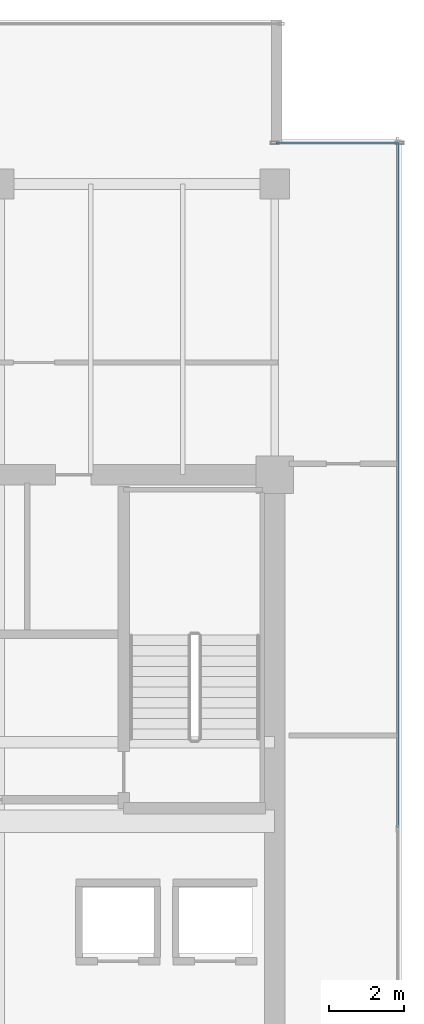
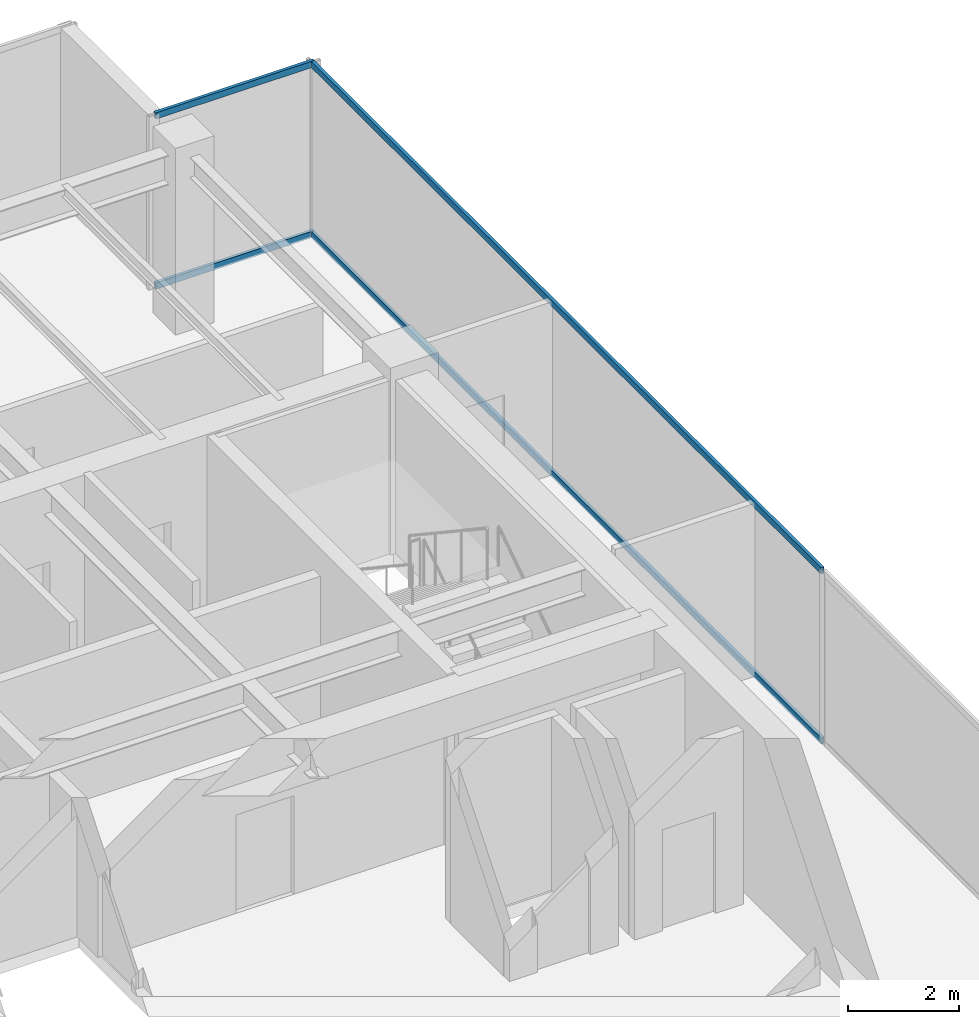
# One storey, part 25 of 33: 4 members, 2 elements without a shape of their own.
"""IFC4 building model written with IfcOpenShell, lengths in metres."""

from ifc_helpers import new_model, si_unit, direction, frame, origin, origin_2d, place, context, subcontext, project, spatial, hollow_rectangle, extrude, source, transform, mapped, material, layer, layer_set, material_profile, profile_set, type_object, type_shapes, element, aggregate, save


model = new_model("IFC4")

# Units and contexts
model_context = context("Model", 3, precision=1e-05, world=origin(), true_north=direction((0.0, 1.0)))
body_context = subcontext(model_context, "Body", "Model", "MODEL_VIEW")
ifc_project = project(units=[si_unit("LENGTHUNIT", "METRE"), si_unit("AREAUNIT", "SQUARE_METRE"), si_unit("VOLUMEUNIT", "CUBIC_METRE"), si_unit("PLANEANGLEUNIT", "RADIAN"), si_unit("MASSUNIT", "GRAM", prefix="KILO")], contexts=[model_context])

# Site, building, storey
site_placement = place(None, origin())
site = spatial("IfcSite", under=ifc_project, at=site_placement, CompositionType="ELEMENT")
building_placement = place(site_placement, origin())
building = spatial("IfcBuilding", under=site, at=building_placement, Name="Haelvirn Gate Laboratories", CompositionType="ELEMENT")
storey_placement = place(building_placement, frame((0.0, 0.0, 258.800048828125)))
storey = spatial("IfcBuildingStorey", under=building, at=storey_placement, Name="L62", CompositionType="ELEMENT", Elevation=258.800048828125)

# Curtain wall, members
ifc_material_1 = material(Name="Anodised bronze unitised aluminium & triple low-E glass", Category="aluminium")
ifc_layer_1 = layer(ifc_material_1, 0.181884765625, Name="CW-SYS-5")
ifc_layer_set_1 = layer_set([ifc_layer_1], Name="Anodised bronze unitised aluminium & triple low-E glass")
curtain_wall_type_1 = type_object("IfcCurtainWallType", Name="CW-SYS-5", PredefinedType="NOTDEFINED", material=ifc_layer_set_1)
curtain_wall_1_placement = place(storey_placement, origin())
curtain_wall_1 = element("IfcCurtainWall", 1, at=curtain_wall_1_placement, inside=storey, type_object=curtain_wall_type_1, Name="L62 Unitised Curtain Wall CW-L62-P0-E08-1", PredefinedType="NOTDEFINED")
ifc_material_2 = material(Name="Extruded aluminium 6063-T6 (anodised bronze)", Category="aluminium")
ifc_material_profile = material_profile(ifc_material_2, hollow_rectangle(XDim=0.06494140625, YDim=0.139892578125, WallThickness=0.00390625, at=origin_2d()), Name="CWT-140x65x4")
ifc_profile_set = profile_set([ifc_material_profile], Name="Extruded aluminium 6063-T6 (anodised bronze)")
member_type = type_object("IfcMemberType", Name="CWT-T140", PredefinedType="USERDEFINED", material=ifc_profile_set)
shared_shape_1 = source(origin(), body_context, "Body", "SweptSolid", [
    extrude(hollow_rectangle(XDim=0.06494140625, YDim=0.139892578125, WallThickness=0.00390625, at=origin_2d()), origin(), (0.0, 0.0, 1.0), 3.280029296875),
])
member_1_placement = place(storey_placement, frame((67.43994140625, 42.699951171875, 0.032470703125), z_axis=(1.0, 0.0, 0.0), x_axis=(0.0, 1.0, 0.0)))
member_1 = element("IfcMember", 2, at=member_1_placement, type_object=member_type, Name="CW5 transom 1.1", ObjectType="TRANSOM", PredefinedType="USERDEFINED", context=body_context, shape_type="MappedRepresentation", body=[
    mapped(shared_shape_1, transform((0.0, 0.0, 0.0), scale=1.0)),
])
member_2_placement = place(storey_placement, frame((67.43994140625, 42.699951171875, 3.767333984375), z_axis=(1.0, 0.0, 0.0), x_axis=(0.0, 1.0, 0.0)))
member_2 = element("IfcMember", 3, at=member_2_placement, type_object=member_type, Name="CW5 transom 1.2", ObjectType="TRANSOM", PredefinedType="USERDEFINED", context=body_context, shape_type="MappedRepresentation", body=[
    mapped(shared_shape_1, transform((0.0, 0.0, 0.0), scale=1.0)),
])
aggregate(curtain_wall_1, [member_1, member_2])

ifc_layer_2 = layer(ifc_material_1, 0.176025390625, Name="CW-SYS-4")
ifc_layer_set_2 = layer_set([ifc_layer_2], Name="Anodised bronze unitised aluminium & triple low-E glass")
curtain_wall_type_2 = type_object("IfcCurtainWallType", Name="CW-SYS-4", PredefinedType="NOTDEFINED", material=ifc_layer_set_2)
curtain_wall_2_placement = place(storey_placement, origin())
curtain_wall_2 = element("IfcCurtainWall", 4, at=curtain_wall_2_placement, inside=storey, type_object=curtain_wall_type_2, Name="L62 Unitised Curtain Wall CW-L62-P0-E07", PredefinedType="NOTDEFINED")
shared_shape_2 = source(origin(), body_context, "Body", "SweptSolid", [
    extrude(hollow_rectangle(XDim=0.06494140625, YDim=0.139892578125, WallThickness=0.00390625, at=origin_2d()), origin(), (0.0, 0.0, 1.0), 18.39501953125),
])
type_shapes(member_type, [shared_shape_1, shared_shape_2])
member_3_placement = place(storey_placement, frame((70.699951171875, 24.3349609375, 0.032470703125), z_axis=(0.0, 1.0, 0.0), x_axis=(-1.0, 0.0, 0.0)))
member_3 = element("IfcMember", 5, at=member_3_placement, type_object=member_type, Name="CW4 transom 2.1", ObjectType="TRANSOM", PredefinedType="USERDEFINED", context=body_context, shape_type="MappedRepresentation", body=[
    mapped(shared_shape_2, transform((0.0, 0.0, 0.0), scale=1.0)),
])
member_4_placement = place(storey_placement, frame((70.699951171875, 24.3349609375, 3.767333984375), z_axis=(0.0, 1.0, 0.0), x_axis=(-1.0, 0.0, 0.0)))
member_4 = element("IfcMember", 6, at=member_4_placement, type_object=member_type, Name="CW4 transom 2.2", ObjectType="TRANSOM", PredefinedType="USERDEFINED", context=body_context, shape_type="MappedRepresentation", body=[
    mapped(shared_shape_2, transform((0.0, 0.0, 0.0), scale=1.0)),
])
aggregate(curtain_wall_2, [member_3, member_4])

save(model, "model.ifc")
